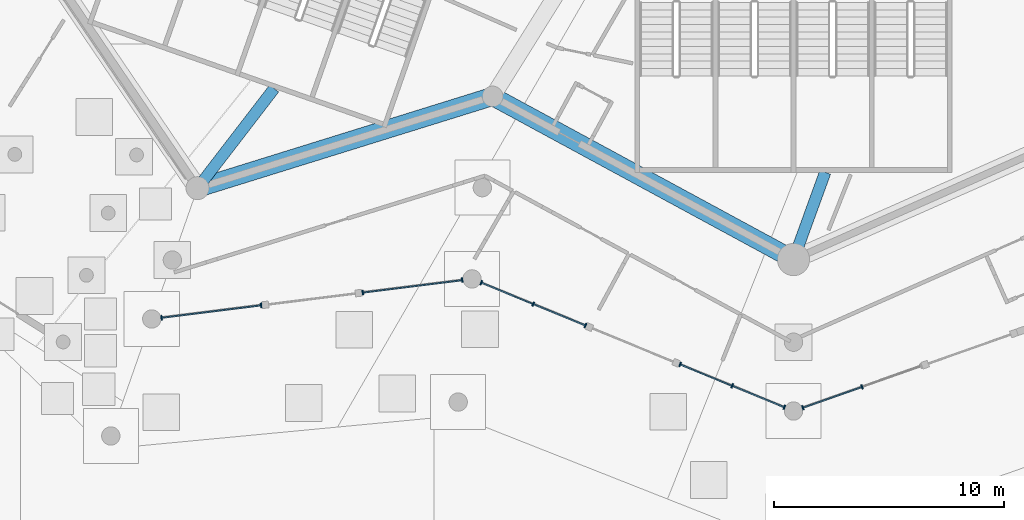
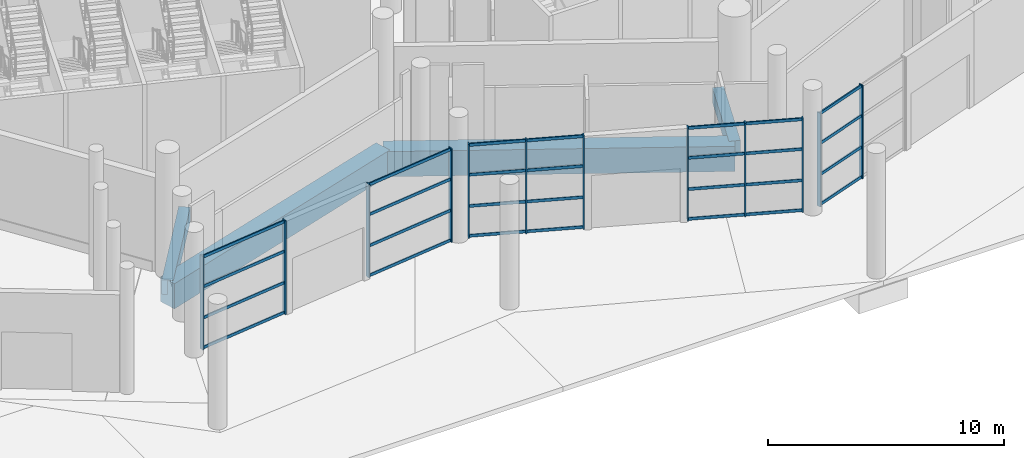
# One storey, part 19 of 255: 40 members, 4 beams, 5 elements without a shape of their own.
"""IFC4 building model written with IfcOpenShell, lengths in metres."""

from ifc_helpers import new_model, si_unit, direction, frame, origin, origin_2d, place, context, subcontext, project, spatial, rectangle, extrude, material, layer, layer_set, material_profile, profile_set, type_object, element, aggregate, save


model = new_model("IFC4")

# Units and contexts
model_context = context("Model", 3, precision=1e-05, world=origin(), true_north=direction((0.0, 1.0)))
body_context = subcontext(model_context, "Body", "Model", "MODEL_VIEW")
ifc_project = project(units=[si_unit("LENGTHUNIT", "METRE"), si_unit("AREAUNIT", "SQUARE_METRE"), si_unit("VOLUMEUNIT", "CUBIC_METRE"), si_unit("PLANEANGLEUNIT", "RADIAN"), si_unit("MASSUNIT", "GRAM", prefix="KILO")], contexts=[model_context])

# Site, building, storey
site_placement = place(None, origin())
site = spatial("IfcSite", under=ifc_project, at=site_placement, CompositionType="ELEMENT")
building_placement = place(site_placement, origin())
building = spatial("IfcBuilding", under=site, at=building_placement, Name="Meseta Stadium", CompositionType="ELEMENT")
storey_placement = place(building_placement, origin())
storey = spatial("IfcBuildingStorey", under=building, at=storey_placement, Name="L00", CompositionType="ELEMENT", Elevation=0.0)

# Beams
ifc_material_1 = material(Name="Concrete C40/50", Category="concrete")
ifc_material_profile_1 = material_profile(ifc_material_1, rectangle(XDim=0.5, YDim=0.75, at=origin_2d()), Name="RC 500x750")
ifc_profile_set_1 = profile_set([ifc_material_profile_1], Name="Concrete C40/50")
beam_type_1 = type_object("IfcBeamType", Name="RC beam 500x750", PredefinedType="BEAM", material=ifc_profile_set_1)
beam_1_placement = place(storey_placement, frame((-60.95947265625, -97.949951171875, -0.77490234375), z_axis=(-0.609579324643, -0.792725076536, 0.0), x_axis=(0.792725076536, -0.609579324643, 0.0)))
element("IfcBeam", 1, at=beam_1_placement, inside=storey, type_object=beam_type_1, Name="L00 radial beam frame 42 line P to R", PredefinedType="BEAM", context=body_context, shape_type="SweptSolid", body=[
    extrude(rectangle(XDim=0.5, YDim=0.75, at=origin_2d()), origin(), (0.0, 0.0, 1.0), 5.47607421875),
])
beam_2_placement = place(storey_placement, frame((-36.9541015625, -101.60009765625, -0.77490234375), z_axis=(-0.341175633366, -0.939999567658, 0.0), x_axis=(0.939999567658, -0.341175633366, 0.0)))
element("IfcBeam", 2, at=beam_2_placement, inside=storey, type_object=beam_type_1, Name="L00 radial beam frame 44 line P to R", PredefinedType="BEAM", context=body_context, shape_type="SweptSolid", body=[
    extrude(rectangle(XDim=0.5, YDim=0.75, at=origin_2d()), origin(), (0.0, 0.0, 1.0), 4.042236328125),
])
ifc_material_2 = material(Name="Concrete C40/50", Category="concrete")
ifc_material_profile_2 = material_profile(ifc_material_2, rectangle(XDim=0.800048828125, YDim=1.300048828125, at=origin_2d()), Name="RC 800x1300")
ifc_profile_set_2 = profile_set([ifc_material_profile_2], Name="Concrete C40/50")
beam_type_2 = type_object("IfcBeamType", Name="RC beam 800x1300", PredefinedType="BEAM", material=ifc_profile_set_2)
beam_3_placement = place(storey_placement, frame((-64.297607421875, -102.291015625, -1.050048828125), z_axis=(0.954922594045, 0.296854913016, 0.0), x_axis=(-0.296854913016, 0.954922594045, 0.0)))
element("IfcBeam", 3, at=beam_3_placement, inside=storey, type_object=beam_type_2, Name="L00 ring beam frame 42 line R", PredefinedType="BEAM", context=body_context, shape_type="SweptSolid", body=[
    extrude(rectangle(XDim=0.800048828125, YDim=1.300048828125, at=origin_2d()), origin(), (0.0, 0.0, 1.0), 13.463134765625),
])
beam_4_placement = place(storey_placement, frame((-51.44140625, -98.29443359375, -1.050048828125), z_axis=(0.879145348638, -0.476553728311, 0.0), x_axis=(0.476553728311, 0.879145348638, 0.0)))
element("IfcBeam", 4, at=beam_4_placement, inside=storey, type_object=beam_type_2, Name="L00 ring beam frame 43 line R", PredefinedType="BEAM", context=body_context, shape_type="SweptSolid", body=[
    extrude(rectangle(XDim=0.800048828125, YDim=1.300048828125, at=origin_2d()), origin(), (0.0, 0.0, 1.0), 14.91015625),
])

# Curtain wall, members
ifc_material_3 = material(Name="Aluminium", Category="aluminium")
ifc_layer = layer(ifc_material_3, 0.199951171875)
ifc_layer_set = layer_set([ifc_layer], Name="Ring shopfront curtain wall")
curtain_wall_type = type_object("IfcCurtainWallType", Name="Ring shopfront curtain wall", PredefinedType="NOTDEFINED", material=ifc_layer_set)
curtain_wall_1_placement = place(storey_placement, origin())
curtain_wall_1 = element("IfcCurtainWall", 5, at=curtain_wall_1_placement, inside=storey, type_object=curtain_wall_type, Name="Shopfront glazing F42a", PredefinedType="NOTDEFINED")
ifc_material_4 = material(Name="Aluminium", Category="aluminium")
ifc_material_profile_3 = material_profile(ifc_material_4, rectangle(XDim=0.199951171875, YDim=0.06005859375, at=origin_2d()), Name="CW 200x60")
ifc_profile_set_3 = profile_set([ifc_material_profile_3], Name="Aluminium")
member_type_1 = type_object("IfcMemberType", Name="Ring CW mullion 60x200", PredefinedType="MULLION", material=ifc_profile_set_3)
member_1_placement = place(storey_placement, frame((-65.864990234375, -107.9365234375, 0.0), z_axis=(0.0, 0.0, 1.0), x_axis=(-0.124154156083, 0.992262941728, 0.0)))
member_1 = element("IfcMember", 6, at=member_1_placement, type_object=member_type_1, Name="CWR1 mullion 1", PredefinedType="MULLION", context=body_context, shape_type="SweptSolid", body=[
    extrude(rectangle(XDim=0.199951171875, YDim=0.06005859375, at=origin_2d()), origin(), (0.0, 0.0, 1.0), 4.85009765625),
])
member_2_placement = place(storey_placement, frame((-61.527099609375, -107.393798828125, 0.0), z_axis=(0.0, 0.0, 1.0), x_axis=(-0.124154156083, 0.992262941728, 0.0)))
member_2 = element("IfcMember", 7, at=member_2_placement, type_object=member_type_1, Name="CWR1 mullion 2", PredefinedType="MULLION", context=body_context, shape_type="SweptSolid", body=[
    extrude(rectangle(XDim=0.199951171875, YDim=0.06005859375, at=origin_2d()), origin(), (0.0, 0.0, 1.0), 4.85009765625),
])

curtain_wall_2_placement = place(storey_placement, origin())
curtain_wall_2 = element("IfcCurtainWall", 8, at=curtain_wall_2_placement, inside=storey, type_object=curtain_wall_type, Name="Shopfront glazing F42b", PredefinedType="NOTDEFINED")
member_3_placement = place(storey_placement, frame((-57.1015625, -106.840087890625, 0.0), z_axis=(0.0, 0.0, 1.0), x_axis=(-0.124131938531, 0.992265721385, 0.0)))
member_3 = element("IfcMember", 9, at=member_3_placement, type_object=member_type_1, Name="CWR1 mullion 1", PredefinedType="MULLION", context=body_context, shape_type="SweptSolid", body=[
    extrude(rectangle(XDim=0.199951171875, YDim=0.06005859375, at=origin_2d()), origin(), (0.0, 0.0, 1.0), 4.85009765625),
])
member_4_placement = place(storey_placement, frame((-52.763916015625, -106.297607421875, 0.0), z_axis=(0.0, 0.0, 1.0), x_axis=(-0.124131938531, 0.992265721385, 0.0)))
member_4 = element("IfcMember", 10, at=member_4_placement, type_object=member_type_1, Name="CWR1 mullion 2", PredefinedType="MULLION", context=body_context, shape_type="SweptSolid", body=[
    extrude(rectangle(XDim=0.199951171875, YDim=0.06005859375, at=origin_2d()), origin(), (0.0, 0.0, 1.0), 4.85009765625),
])

curtain_wall_3_placement = place(storey_placement, origin())
curtain_wall_3 = element("IfcCurtainWall", 11, at=curtain_wall_3_placement, inside=storey, type_object=curtain_wall_type, Name="Shopfront glazing F43a", PredefinedType="NOTDEFINED")
member_5_placement = place(storey_placement, frame((-51.939453125, -106.40771484375, 0.0), z_axis=(0.0, 0.0, 1.0), x_axis=(0.380160781831, 0.924920418175, 0.0)))
member_5 = element("IfcMember", 12, at=member_5_placement, type_object=member_type_1, Name="CWR1 mullion 1", PredefinedType="MULLION", context=body_context, shape_type="SweptSolid", body=[
    extrude(rectangle(XDim=0.199951171875, YDim=0.06005859375, at=origin_2d()), origin(), (0.0, 0.0, 1.0), 4.85009765625),
])
member_6_placement = place(storey_placement, frame((-49.668701171875, -107.341064453125, 0.0), z_axis=(0.0, 0.0, 1.0), x_axis=(0.380160781831, 0.924920418175, 0.0)))
member_6 = element("IfcMember", 13, at=member_6_placement, type_object=member_type_1, Name="CWR1 mullion 2", PredefinedType="MULLION", context=body_context, shape_type="SweptSolid", body=[
    extrude(rectangle(XDim=0.199951171875, YDim=0.06005859375, at=origin_2d()), origin(), (0.0, 0.0, 1.0), 4.85009765625),
])
member_7_placement = place(storey_placement, frame((-47.39794921875, -108.2744140625, 0.0), z_axis=(0.0, 0.0, 1.0), x_axis=(0.380160781831, 0.924920418175, 0.0)))
member_7 = element("IfcMember", 14, at=member_7_placement, type_object=member_type_1, Name="CWR1 mullion 3", PredefinedType="MULLION", context=body_context, shape_type="SweptSolid", body=[
    extrude(rectangle(XDim=0.199951171875, YDim=0.06005859375, at=origin_2d()), origin(), (0.0, 0.0, 1.0), 4.85009765625),
])

curtain_wall_4_placement = place(storey_placement, origin())
curtain_wall_4 = element("IfcCurtainWall", 15, at=curtain_wall_4_placement, inside=storey, type_object=curtain_wall_type, Name="Shopfront glazing F43b", PredefinedType="NOTDEFINED")
member_8_placement = place(storey_placement, frame((-43.272705078125, -109.9697265625, 0.0), z_axis=(0.0, 0.0, 1.0), x_axis=(0.380160781831, 0.924920418175, 0.0)))
member_8 = element("IfcMember", 16, at=member_8_placement, type_object=member_type_1, Name="CWR1 mullion 1", PredefinedType="MULLION", context=body_context, shape_type="SweptSolid", body=[
    extrude(rectangle(XDim=0.199951171875, YDim=0.06005859375, at=origin_2d()), origin(), (0.0, 0.0, 1.0), 4.85009765625),
])
member_9_placement = place(storey_placement, frame((-41.001953125, -110.903076171875, 0.0), z_axis=(0.0, 0.0, 1.0), x_axis=(0.380160781831, 0.924920418175, 0.0)))
member_9 = element("IfcMember", 17, at=member_9_placement, type_object=member_type_1, Name="CWR1 mullion 2", PredefinedType="MULLION", context=body_context, shape_type="SweptSolid", body=[
    extrude(rectangle(XDim=0.199951171875, YDim=0.06005859375, at=origin_2d()), origin(), (0.0, 0.0, 1.0), 4.85009765625),
])
member_10_placement = place(storey_placement, frame((-38.73095703125, -111.83642578125, 0.0), z_axis=(0.0, 0.0, 1.0), x_axis=(0.380160781831, 0.924920418175, 0.0)))
member_10 = element("IfcMember", 18, at=member_10_placement, type_object=member_type_1, Name="CWR1 mullion 3", PredefinedType="MULLION", context=body_context, shape_type="SweptSolid", body=[
    extrude(rectangle(XDim=0.199951171875, YDim=0.06005859375, at=origin_2d()), origin(), (0.0, 0.0, 1.0), 4.85009765625),
])

curtain_wall_5_placement = place(storey_placement, origin())
curtain_wall_5 = element("IfcCurtainWall", 19, at=curtain_wall_5_placement, inside=storey, type_object=curtain_wall_type, Name="Shopfront glazing F44a", PredefinedType="NOTDEFINED")
member_11_placement = place(storey_placement, frame((-37.927734375, -111.857177734375, 0.0), z_axis=(0.0, 0.0, 1.0), x_axis=(-0.332170000181, 0.94321953488, 0.0)))
member_11 = element("IfcMember", 20, at=member_11_placement, type_object=member_type_1, Name="CWR1 mullion 1", PredefinedType="MULLION", context=body_context, shape_type="SweptSolid", body=[
    extrude(rectangle(XDim=0.199951171875, YDim=0.06005859375, at=origin_2d()), origin(), (0.0, 0.0, 1.0), 4.85009765625),
])
member_12_placement = place(storey_placement, frame((-35.348876953125, -110.948974609375, 0.0), z_axis=(0.0, 0.0, 1.0), x_axis=(-0.332170000181, 0.94321953488, 0.0)))
member_12 = element("IfcMember", 21, at=member_12_placement, type_object=member_type_1, Name="CWR1 mullion 2", PredefinedType="MULLION", context=body_context, shape_type="SweptSolid", body=[
    extrude(rectangle(XDim=0.199951171875, YDim=0.06005859375, at=origin_2d()), origin(), (0.0, 0.0, 1.0), 4.85009765625),
])

# Member
ifc_material_5 = material(Name="Aluminium", Category="aluminium")
ifc_material_profile_4 = material_profile(ifc_material_5, rectangle(XDim=0.06005859375, YDim=0.14990234375, at=origin_2d()), Name="CW 60x150")
ifc_profile_set_4 = profile_set([ifc_material_profile_4], Name="Aluminium")
member_type_2 = type_object("IfcMemberType", Name="Ring CW transom 60x150", PredefinedType="USERDEFINED", material=ifc_profile_set_4)
member_13_placement = place(storey_placement, frame((-65.835205078125, -107.932861328125, 0.074951171875), z_axis=(0.992260444481, 0.124174112916, 0.0), x_axis=(-0.124174112916, 0.992260444481, 0.0)))
member_13 = element("IfcMember", 22, at=member_13_placement, type_object=member_type_2, Name="CWR1 transom 1.1", ObjectType="TRANSOM", PredefinedType="USERDEFINED", context=body_context, shape_type="SweptSolid", body=[
    extrude(rectangle(XDim=0.06005859375, YDim=0.14990234375, at=origin_2d()), origin(), (0.0, 0.0, 1.0), 4.311767578125),
])

member_14_placement = place(storey_placement, frame((-65.835205078125, -107.932861328125, 1.61669921875), z_axis=(0.992260444481, 0.124174112916, 0.0), x_axis=(-0.124174112916, 0.992260444481, 0.0)))
member_14 = element("IfcMember", 23, at=member_14_placement, type_object=member_type_2, Name="CWR1 transom 1.2", ObjectType="TRANSOM", PredefinedType="USERDEFINED", context=body_context, shape_type="SweptSolid", body=[
    extrude(rectangle(XDim=0.06005859375, YDim=0.14990234375, at=origin_2d()), origin(), (0.0, 0.0, 1.0), 4.311767578125),
])

member_15_placement = place(storey_placement, frame((-65.835205078125, -107.932861328125, 3.2333984375), z_axis=(0.992260444481, 0.124174112916, 0.0), x_axis=(-0.124174112916, 0.992260444481, 0.0)))
member_15 = element("IfcMember", 24, at=member_15_placement, type_object=member_type_2, Name="CWR1 transom 1.3", ObjectType="TRANSOM", PredefinedType="USERDEFINED", context=body_context, shape_type="SweptSolid", body=[
    extrude(rectangle(XDim=0.06005859375, YDim=0.14990234375, at=origin_2d()), origin(), (0.0, 0.0, 1.0), 4.311767578125),
])

member_16_placement = place(storey_placement, frame((-65.835205078125, -107.932861328125, 4.77490234375), z_axis=(0.992260444481, 0.124174112916, 0.0), x_axis=(-0.124174112916, 0.992260444481, 0.0)))
member_16 = element("IfcMember", 25, at=member_16_placement, type_object=member_type_2, Name="CWR1 transom 1.4", ObjectType="TRANSOM", PredefinedType="USERDEFINED", context=body_context, shape_type="SweptSolid", body=[
    extrude(rectangle(XDim=0.06005859375, YDim=0.14990234375, at=origin_2d()), origin(), (0.0, 0.0, 1.0), 4.311767578125),
])

aggregate(curtain_wall_1, [member_1, member_2, member_13, member_14, member_15, member_16])

member_17_placement = place(storey_placement, frame((-57.07177734375, -106.83642578125, 0.074951171875), z_axis=(0.992266547273, 0.124125336508, 0.0), x_axis=(-0.124125336508, 0.992266547273, 0.0)))
member_17 = element("IfcMember", 26, at=member_17_placement, type_object=member_type_2, Name="CWR1 transom 1.1", ObjectType="TRANSOM", PredefinedType="USERDEFINED", context=body_context, shape_type="SweptSolid", body=[
    extrude(rectangle(XDim=0.06005859375, YDim=0.14990234375, at=origin_2d()), origin(), (0.0, 0.0, 1.0), 4.3115234375),
])

member_18_placement = place(storey_placement, frame((-57.07177734375, -106.83642578125, 1.61669921875), z_axis=(0.992266547273, 0.124125336508, 0.0), x_axis=(-0.124125336508, 0.992266547273, 0.0)))
member_18 = element("IfcMember", 27, at=member_18_placement, type_object=member_type_2, Name="CWR1 transom 1.2", ObjectType="TRANSOM", PredefinedType="USERDEFINED", context=body_context, shape_type="SweptSolid", body=[
    extrude(rectangle(XDim=0.06005859375, YDim=0.14990234375, at=origin_2d()), origin(), (0.0, 0.0, 1.0), 4.3115234375),
])

member_19_placement = place(storey_placement, frame((-57.07177734375, -106.83642578125, 3.2333984375), z_axis=(0.992266547273, 0.124125336508, 0.0), x_axis=(-0.124125336508, 0.992266547273, 0.0)))
member_19 = element("IfcMember", 28, at=member_19_placement, type_object=member_type_2, Name="CWR1 transom 1.3", ObjectType="TRANSOM", PredefinedType="USERDEFINED", context=body_context, shape_type="SweptSolid", body=[
    extrude(rectangle(XDim=0.06005859375, YDim=0.14990234375, at=origin_2d()), origin(), (0.0, 0.0, 1.0), 4.3115234375),
])

member_20_placement = place(storey_placement, frame((-57.07177734375, -106.83642578125, 4.77490234375), z_axis=(0.992266547273, 0.124125336508, 0.0), x_axis=(-0.124125336508, 0.992266547273, 0.0)))
member_20 = element("IfcMember", 29, at=member_20_placement, type_object=member_type_2, Name="CWR1 transom 1.4", ObjectType="TRANSOM", PredefinedType="USERDEFINED", context=body_context, shape_type="SweptSolid", body=[
    extrude(rectangle(XDim=0.06005859375, YDim=0.14990234375, at=origin_2d()), origin(), (0.0, 0.0, 1.0), 4.3115234375),
])

aggregate(curtain_wall_2, [member_3, member_4, member_17, member_18, member_19, member_20])

member_21_placement = place(storey_placement, frame((-51.91162109375, -106.4189453125, 0.074951171875), z_axis=(0.924905916453, -0.380196062196, 0.0), x_axis=(0.380196062196, 0.924905916453, 0.0)))
member_21 = element("IfcMember", 30, at=member_21_placement, type_object=member_type_2, Name="CWR1 transom 1.1", ObjectType="TRANSOM", PredefinedType="USERDEFINED", context=body_context, shape_type="SweptSolid", body=[
    extrude(rectangle(XDim=0.06005859375, YDim=0.14990234375, at=origin_2d()), origin(), (0.0, 0.0, 1.0), 2.395263671875),
])

member_22_placement = place(storey_placement, frame((-51.91162109375, -106.4189453125, 1.61669921875), z_axis=(0.924905916453, -0.380196062196, 0.0), x_axis=(0.380196062196, 0.924905916453, 0.0)))
member_22 = element("IfcMember", 31, at=member_22_placement, type_object=member_type_2, Name="CWR1 transom 1.2", ObjectType="TRANSOM", PredefinedType="USERDEFINED", context=body_context, shape_type="SweptSolid", body=[
    extrude(rectangle(XDim=0.06005859375, YDim=0.14990234375, at=origin_2d()), origin(), (0.0, 0.0, 1.0), 2.395263671875),
])

member_23_placement = place(storey_placement, frame((-51.91162109375, -106.4189453125, 3.2333984375), z_axis=(0.924905916453, -0.380196062196, 0.0), x_axis=(0.380196062196, 0.924905916453, 0.0)))
member_23 = element("IfcMember", 32, at=member_23_placement, type_object=member_type_2, Name="CWR1 transom 1.3", ObjectType="TRANSOM", PredefinedType="USERDEFINED", context=body_context, shape_type="SweptSolid", body=[
    extrude(rectangle(XDim=0.06005859375, YDim=0.14990234375, at=origin_2d()), origin(), (0.0, 0.0, 1.0), 2.395263671875),
])

member_24_placement = place(storey_placement, frame((-51.91162109375, -106.4189453125, 4.77490234375), z_axis=(0.924905916453, -0.380196062196, 0.0), x_axis=(0.380196062196, 0.924905916453, 0.0)))
member_24 = element("IfcMember", 33, at=member_24_placement, type_object=member_type_2, Name="CWR1 transom 1.4", ObjectType="TRANSOM", PredefinedType="USERDEFINED", context=body_context, shape_type="SweptSolid", body=[
    extrude(rectangle(XDim=0.06005859375, YDim=0.14990234375, at=origin_2d()), origin(), (0.0, 0.0, 1.0), 2.395263671875),
])

member_25_placement = place(storey_placement, frame((-49.640869140625, -107.352294921875, 0.074951171875), z_axis=(0.924905916453, -0.380196062196, 0.0), x_axis=(0.380196062196, 0.924905916453, 0.0)))
member_25 = element("IfcMember", 34, at=member_25_placement, type_object=member_type_2, Name="CWR1 transom 2.1", ObjectType="TRANSOM", PredefinedType="USERDEFINED", context=body_context, shape_type="SweptSolid", body=[
    extrude(rectangle(XDim=0.06005859375, YDim=0.14990234375, at=origin_2d()), origin(), (0.0, 0.0, 1.0), 2.395263671875),
])

member_26_placement = place(storey_placement, frame((-49.640869140625, -107.352294921875, 1.61669921875), z_axis=(0.924905916453, -0.380196062196, 0.0), x_axis=(0.380196062196, 0.924905916453, 0.0)))
member_26 = element("IfcMember", 35, at=member_26_placement, type_object=member_type_2, Name="CWR1 transom 2.2", ObjectType="TRANSOM", PredefinedType="USERDEFINED", context=body_context, shape_type="SweptSolid", body=[
    extrude(rectangle(XDim=0.06005859375, YDim=0.14990234375, at=origin_2d()), origin(), (0.0, 0.0, 1.0), 2.395263671875),
])

member_27_placement = place(storey_placement, frame((-49.640869140625, -107.352294921875, 3.2333984375), z_axis=(0.924905916453, -0.380196062196, 0.0), x_axis=(0.380196062196, 0.924905916453, 0.0)))
member_27 = element("IfcMember", 36, at=member_27_placement, type_object=member_type_2, Name="CWR1 transom 2.3", ObjectType="TRANSOM", PredefinedType="USERDEFINED", context=body_context, shape_type="SweptSolid", body=[
    extrude(rectangle(XDim=0.06005859375, YDim=0.14990234375, at=origin_2d()), origin(), (0.0, 0.0, 1.0), 2.395263671875),
])

member_28_placement = place(storey_placement, frame((-49.640869140625, -107.352294921875, 4.77490234375), z_axis=(0.924905916453, -0.380196062196, 0.0), x_axis=(0.380196062196, 0.924905916453, 0.0)))
member_28 = element("IfcMember", 37, at=member_28_placement, type_object=member_type_2, Name="CWR1 transom 2.4", ObjectType="TRANSOM", PredefinedType="USERDEFINED", context=body_context, shape_type="SweptSolid", body=[
    extrude(rectangle(XDim=0.06005859375, YDim=0.14990234375, at=origin_2d()), origin(), (0.0, 0.0, 1.0), 2.395263671875),
])

aggregate(curtain_wall_3, [member_5, member_6, member_7, member_21, member_22, member_23, member_24, member_25, member_26, member_27, member_28])

member_29_placement = place(storey_placement, frame((-43.244873046875, -109.981201171875, 0.074951171875), z_axis=(0.924905916453, -0.380196062196, 0.0), x_axis=(0.380196062196, 0.924905916453, 0.0)))
member_29 = element("IfcMember", 38, at=member_29_placement, type_object=member_type_2, Name="CWR1 transom 1.1", ObjectType="TRANSOM", PredefinedType="USERDEFINED", context=body_context, shape_type="SweptSolid", body=[
    extrude(rectangle(XDim=0.06005859375, YDim=0.14990234375, at=origin_2d()), origin(), (0.0, 0.0, 1.0), 2.395263671875),
])

member_30_placement = place(storey_placement, frame((-43.244873046875, -109.981201171875, 1.61669921875), z_axis=(0.924905916453, -0.380196062196, 0.0), x_axis=(0.380196062196, 0.924905916453, 0.0)))
member_30 = element("IfcMember", 39, at=member_30_placement, type_object=member_type_2, Name="CWR1 transom 1.2", ObjectType="TRANSOM", PredefinedType="USERDEFINED", context=body_context, shape_type="SweptSolid", body=[
    extrude(rectangle(XDim=0.06005859375, YDim=0.14990234375, at=origin_2d()), origin(), (0.0, 0.0, 1.0), 2.395263671875),
])

member_31_placement = place(storey_placement, frame((-43.244873046875, -109.981201171875, 3.2333984375), z_axis=(0.924905916453, -0.380196062196, 0.0), x_axis=(0.380196062196, 0.924905916453, 0.0)))
member_31 = element("IfcMember", 40, at=member_31_placement, type_object=member_type_2, Name="CWR1 transom 1.3", ObjectType="TRANSOM", PredefinedType="USERDEFINED", context=body_context, shape_type="SweptSolid", body=[
    extrude(rectangle(XDim=0.06005859375, YDim=0.14990234375, at=origin_2d()), origin(), (0.0, 0.0, 1.0), 2.395263671875),
])

member_32_placement = place(storey_placement, frame((-43.244873046875, -109.981201171875, 4.77490234375), z_axis=(0.924905916453, -0.380196062196, 0.0), x_axis=(0.380196062196, 0.924905916453, 0.0)))
member_32 = element("IfcMember", 41, at=member_32_placement, type_object=member_type_2, Name="CWR1 transom 1.4", ObjectType="TRANSOM", PredefinedType="USERDEFINED", context=body_context, shape_type="SweptSolid", body=[
    extrude(rectangle(XDim=0.06005859375, YDim=0.14990234375, at=origin_2d()), origin(), (0.0, 0.0, 1.0), 2.395263671875),
])

member_33_placement = place(storey_placement, frame((-40.97412109375, -110.91455078125, 0.074951171875), z_axis=(0.924905916453, -0.380196062196, 0.0), x_axis=(0.380196062196, 0.924905916453, 0.0)))
member_33 = element("IfcMember", 42, at=member_33_placement, type_object=member_type_2, Name="CWR1 transom 2.1", ObjectType="TRANSOM", PredefinedType="USERDEFINED", context=body_context, shape_type="SweptSolid", body=[
    extrude(rectangle(XDim=0.06005859375, YDim=0.14990234375, at=origin_2d()), origin(), (0.0, 0.0, 1.0), 2.395263671875),
])

member_34_placement = place(storey_placement, frame((-40.97412109375, -110.91455078125, 1.61669921875), z_axis=(0.924905916453, -0.380196062196, 0.0), x_axis=(0.380196062196, 0.924905916453, 0.0)))
member_34 = element("IfcMember", 43, at=member_34_placement, type_object=member_type_2, Name="CWR1 transom 2.2", ObjectType="TRANSOM", PredefinedType="USERDEFINED", context=body_context, shape_type="SweptSolid", body=[
    extrude(rectangle(XDim=0.06005859375, YDim=0.14990234375, at=origin_2d()), origin(), (0.0, 0.0, 1.0), 2.395263671875),
])

member_35_placement = place(storey_placement, frame((-40.97412109375, -110.91455078125, 3.2333984375), z_axis=(0.924905916453, -0.380196062196, 0.0), x_axis=(0.380196062196, 0.924905916453, 0.0)))
member_35 = element("IfcMember", 44, at=member_35_placement, type_object=member_type_2, Name="CWR1 transom 2.3", ObjectType="TRANSOM", PredefinedType="USERDEFINED", context=body_context, shape_type="SweptSolid", body=[
    extrude(rectangle(XDim=0.06005859375, YDim=0.14990234375, at=origin_2d()), origin(), (0.0, 0.0, 1.0), 2.395263671875),
])

member_36_placement = place(storey_placement, frame((-40.97412109375, -110.91455078125, 4.77490234375), z_axis=(0.924905916453, -0.380196062196, 0.0), x_axis=(0.380196062196, 0.924905916453, 0.0)))
member_36 = element("IfcMember", 45, at=member_36_placement, type_object=member_type_2, Name="CWR1 transom 2.4", ObjectType="TRANSOM", PredefinedType="USERDEFINED", context=body_context, shape_type="SweptSolid", body=[
    extrude(rectangle(XDim=0.06005859375, YDim=0.14990234375, at=origin_2d()), origin(), (0.0, 0.0, 1.0), 2.395263671875),
])

aggregate(curtain_wall_4, [member_8, member_9, member_10, member_29, member_30, member_31, member_32, member_33, member_34, member_35, member_36])

member_37_placement = place(storey_placement, frame((-37.8994140625, -111.84716796875, 0.074951171875), z_axis=(0.943226073385, 0.332151433063, 0.0), x_axis=(-0.332151433063, 0.943226073385, 0.0)))
member_37 = element("IfcMember", 46, at=member_37_placement, type_object=member_type_2, Name="CWR1 transom 1.1", ObjectType="TRANSOM", PredefinedType="USERDEFINED", context=body_context, shape_type="SweptSolid", body=[
    extrude(rectangle(XDim=0.06005859375, YDim=0.14990234375, at=origin_2d()), origin(), (0.0, 0.0, 1.0), 2.674072265625),
])

member_38_placement = place(storey_placement, frame((-37.8994140625, -111.84716796875, 1.61669921875), z_axis=(0.943226073385, 0.332151433063, 0.0), x_axis=(-0.332151433063, 0.943226073385, 0.0)))
member_38 = element("IfcMember", 47, at=member_38_placement, type_object=member_type_2, Name="CWR1 transom 1.2", ObjectType="TRANSOM", PredefinedType="USERDEFINED", context=body_context, shape_type="SweptSolid", body=[
    extrude(rectangle(XDim=0.06005859375, YDim=0.14990234375, at=origin_2d()), origin(), (0.0, 0.0, 1.0), 2.674072265625),
])

member_39_placement = place(storey_placement, frame((-37.8994140625, -111.84716796875, 3.2333984375), z_axis=(0.943226073385, 0.332151433063, 0.0), x_axis=(-0.332151433063, 0.943226073385, 0.0)))
member_39 = element("IfcMember", 48, at=member_39_placement, type_object=member_type_2, Name="CWR1 transom 1.3", ObjectType="TRANSOM", PredefinedType="USERDEFINED", context=body_context, shape_type="SweptSolid", body=[
    extrude(rectangle(XDim=0.06005859375, YDim=0.14990234375, at=origin_2d()), origin(), (0.0, 0.0, 1.0), 2.674072265625),
])

member_40_placement = place(storey_placement, frame((-37.8994140625, -111.84716796875, 4.77490234375), z_axis=(0.943226073385, 0.332151433063, 0.0), x_axis=(-0.332151433063, 0.943226073385, 0.0)))
member_40 = element("IfcMember", 49, at=member_40_placement, type_object=member_type_2, Name="CWR1 transom 1.4", ObjectType="TRANSOM", PredefinedType="USERDEFINED", context=body_context, shape_type="SweptSolid", body=[
    extrude(rectangle(XDim=0.06005859375, YDim=0.14990234375, at=origin_2d()), origin(), (0.0, 0.0, 1.0), 2.674072265625),
])

aggregate(curtain_wall_5, [member_11, member_12, member_37, member_38, member_39, member_40])

save(model, "model.ifc")
